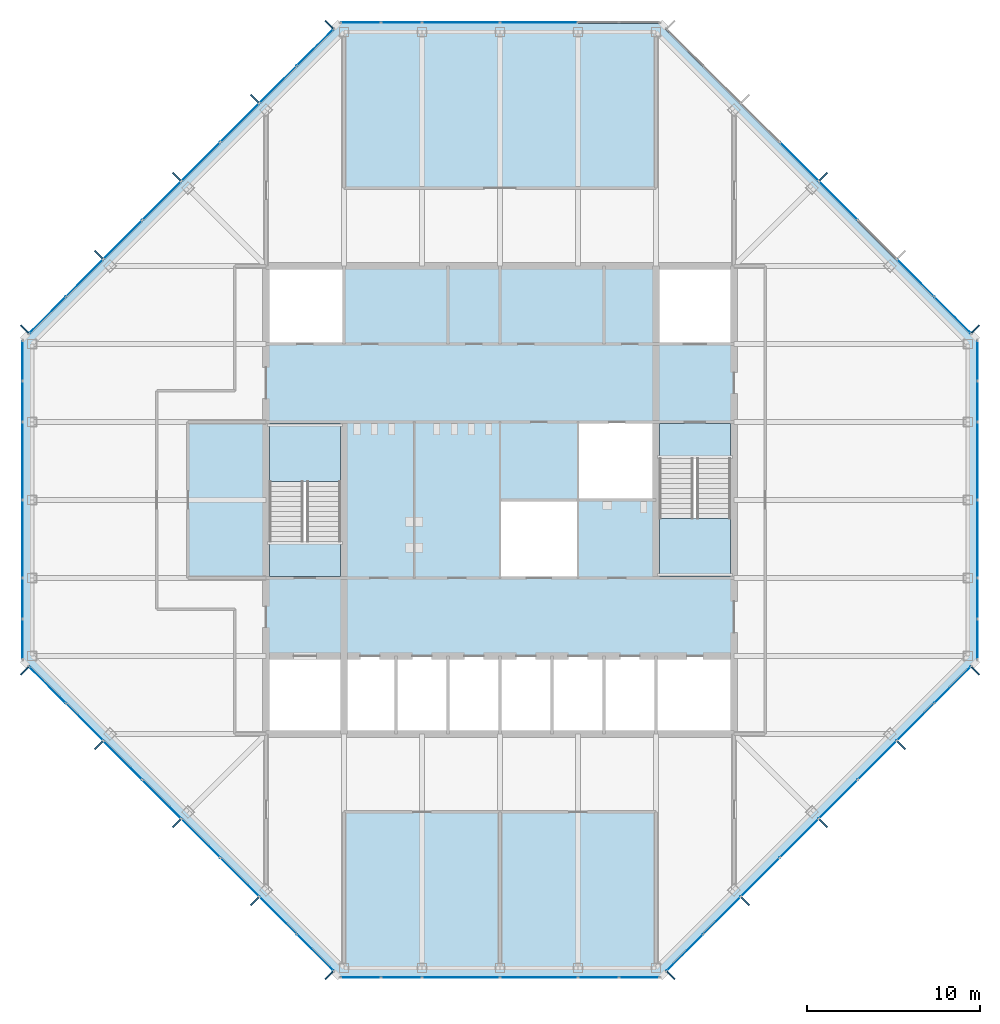
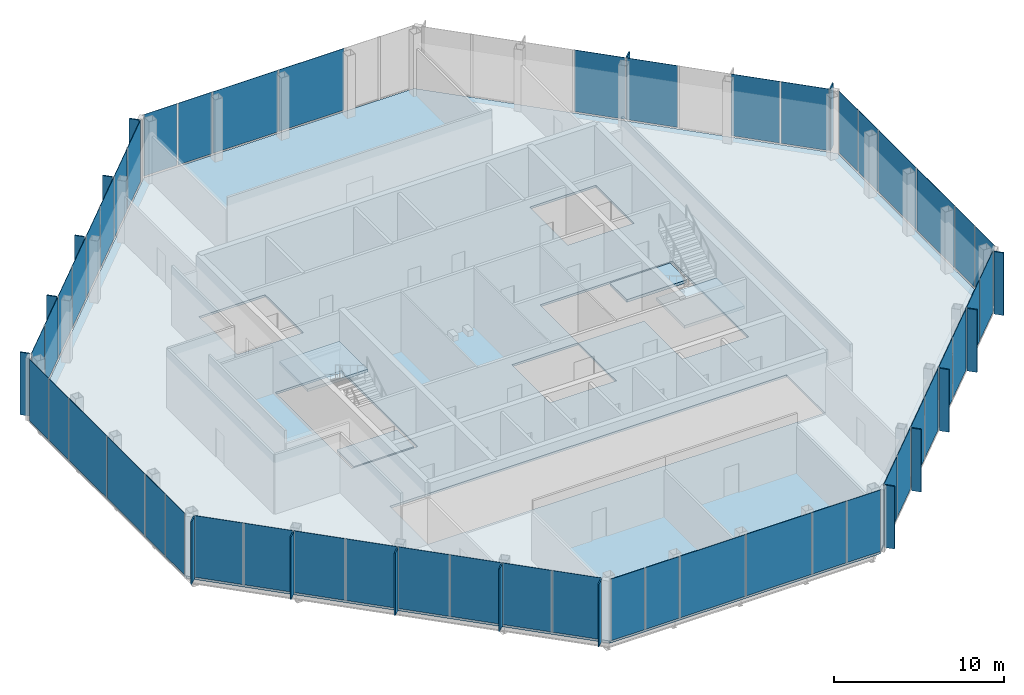
# One storey, part 8 of 13: 67 plates, 5 slabs, 10 elements without a shape of their own.
"""IFC4 building model written with IfcOpenShell, lengths in metres."""

from ifc_helpers import new_model, si_unit, direction, frame, origin, origin_2d, place, context, subcontext, project, spatial, polyline, rectangle, outline, extrude, material, layer, layer_set, type_object, element, aggregate, save


model = new_model("IFC4")

# Units and contexts
model_context = context("Model", 3, precision=1e-05, world=origin(), true_north=direction((0.0, 1.0)))
body_context = subcontext(model_context, "Body", "Model", "MODEL_VIEW")
ifc_project = project(units=[si_unit("LENGTHUNIT", "METRE"), si_unit("AREAUNIT", "SQUARE_METRE"), si_unit("VOLUMEUNIT", "CUBIC_METRE"), si_unit("PLANEANGLEUNIT", "RADIAN"), si_unit("MASSUNIT", "GRAM", prefix="KILO")], contexts=[model_context])

# Site, building, storey
site_placement = place(None, origin())
site = spatial("IfcSite", under=ifc_project, at=site_placement, CompositionType="ELEMENT")
building_placement = place(site_placement, origin())
building = spatial("IfcBuilding", under=site, at=building_placement, Name="Corais Broadcast Tower", CompositionType="ELEMENT")
storey_placement = place(building_placement, frame((0.0, 0.0, 310.60009765625)))
storey = spatial("IfcBuildingStorey", under=building, at=storey_placement, Name="L73", CompositionType="ELEMENT", Elevation=310.60009765625)

# Slab
ifc_material_1 = material(Name="Concrete C30/37", Category="concrete")
ifc_layer_1 = layer(ifc_material_1, 0.159912109375)
ifc_layer_set_1 = layer_set([ifc_layer_1], Name="Concrete C30/37")
slab_type_1 = type_object("IfcSlabType", Name="Composite floor slab 160", PredefinedType="FLOOR", material=ifc_layer_set_1)
slab_1_placement = place(storey_placement, frame((0.0, 0.0, -0.16015625)))
element("IfcSlab", 1, at=slab_1_placement, inside=storey, type_object=slab_type_1, Name="S160 floor slab L73", PredefinedType="FLOOR", context=body_context, shape_type="SweptSolid", body=[
    extrude(outline(polyline([(17.80126953125, -0.47998046875), (-0.47998046875, 17.80126953125), (-0.47998046875, 36.19873046875), (17.80126953125, 54.47998046875), (36.19873046875, 54.47998046875), (54.47998046875, 36.19873046875), (54.47998046875, 17.80126953125), (36.19873046875, -0.47998046875), (17.80126953125, -0.47998046875)]), holes=[polyline([(13.5, 18.0), (40.5, 18.0), (40.5, 13.5), (13.5, 13.5), (13.5, 18.0)]), polyline([(18.0, 22.5), (13.5, 22.5), (13.5, 31.5), (18.0, 31.5), (18.0, 22.5)]), polyline([(18.0, 36.0), (13.5, 36.0), (13.5, 40.5), (18.0, 40.5), (18.0, 36.0)]), polyline([(31.5, 22.5), (27.0, 22.5), (27.0, 27.0), (31.4951171875, 27.0), (31.4951171875, 27.0048828125), (31.5, 27.0048828125), (31.5, 31.5), (40.5, 31.5), (40.5, 22.5), (36.0, 22.5), (36.0, 27.0), (31.5048828125, 27.0), (31.5048828125, 26.9951171875), (31.5, 26.9951171875), (31.5, 22.5)]), polyline([(40.5, 36.0), (36.0, 36.0), (36.0, 40.5), (40.5, 40.5), (40.5, 36.0)])]), origin(), (0.0, 0.0, 1.0), 0.16015625),
])

# Curtain wall, plates
ifc_material_2 = material(Name="Aluminium and glass", Category="aluminium")
curtain_wall_type = type_object("IfcCurtainWallType", Name="Unitised fritted curtain wall CW3", PredefinedType="NOTDEFINED", material=ifc_material_2)
curtain_wall_1_placement = place(storey_placement, origin())
curtain_wall_1 = element("IfcCurtainWall", 2, at=curtain_wall_1_placement, inside=storey, type_object=curtain_wall_type, Name="CW3 curtain wall L73 1", PredefinedType="NOTDEFINED")
ifc_material_3 = material(Name="Ceramic-fritted laminated glass", Category="glass")
ifc_layer_2 = layer(ifc_material_3, 0.02587890625)
ifc_layer_set_2 = layer_set([ifc_layer_2], Name="Ceramic-fritted laminated glass")
plate_type_1 = type_object("IfcPlateType", Name="Fritted glass panel CW3", PredefinedType="CURTAIN_PANEL", material=ifc_layer_set_2)
plate_1_placement = place(storey_placement, frame((16.330322265625, 0.891845703125, 0.06494140625), z_axis=(0.0, 0.0, 1.0), x_axis=(-0.707106781187, 0.707106781187, 0.0)))
plate_1 = element("IfcPlate", 3, at=plate_1_placement, type_object=plate_type_1, Name="CW3 panel 1", PredefinedType="CURTAIN_PANEL", context=body_context, shape_type="SweptSolid", body=[
    extrude(rectangle(XDim=2.9482421875, YDim=0.02587890625, at=origin_2d()), origin(), (0.0, 0.0, 1.0), 4.43505859375),
])
plate_2_placement = place(storey_placement, frame((11.986083984375, 5.236083984375, 0.06494140625), z_axis=(0.0, 0.0, 1.0), x_axis=(-0.707106781187, 0.707106781187, 0.0)))
plate_2 = element("IfcPlate", 4, at=plate_2_placement, type_object=plate_type_1, Name="CW3 panel 3", PredefinedType="CURTAIN_PANEL", context=body_context, shape_type="SweptSolid", body=[
    extrude(rectangle(XDim=3.116943359375, YDim=0.02587890625, at=origin_2d()), origin(), (0.0, 0.0, 1.0), 4.43505859375),
])
plate_3_placement = place(storey_placement, frame((7.486083984375, 9.736083984375, 0.06494140625), z_axis=(0.0, 0.0, 1.0), x_axis=(-0.707106781187, 0.707106781187, 0.0)))
plate_3 = element("IfcPlate", 5, at=plate_3_placement, type_object=plate_type_1, Name="CW3 panel 5", PredefinedType="CURTAIN_PANEL", context=body_context, shape_type="SweptSolid", body=[
    extrude(rectangle(XDim=3.116943359375, YDim=0.02587890625, at=origin_2d()), origin(), (0.0, 0.0, 1.0), 4.43505859375),
])
plate_4_placement = place(storey_placement, frame((3.0341796875, 14.18798828125, 0.06494140625), z_axis=(0.0, 0.0, 1.0), x_axis=(-0.707106781187, 0.707106781187, 0.0)))
plate_4 = element("IfcPlate", 6, at=plate_4_placement, type_object=plate_type_1, Name="CW3 panel 7", PredefinedType="CURTAIN_PANEL", context=body_context, shape_type="SweptSolid", body=[
    extrude(rectangle(XDim=2.98095703125, YDim=0.02587890625, at=origin_2d()), origin(), (0.0, 0.0, 1.0), 4.43505859375),
])

curtain_wall_2_placement = place(storey_placement, origin())
curtain_wall_2 = element("IfcCurtainWall", 7, at=curtain_wall_2_placement, inside=storey, type_object=curtain_wall_type, Name="CW3 curtain wall L73 2", PredefinedType="NOTDEFINED")
plate_5_placement = place(storey_placement, frame((-0.550048828125, 18.970458984375, 0.06494140625), z_axis=(0.0, 0.0, 1.0), x_axis=(0.0, 1.0, 0.0)))
plate_5 = element("IfcPlate", 8, at=plate_5_placement, type_object=plate_type_1, Name="CW3 panel 1", PredefinedType="CURTAIN_PANEL", context=body_context, shape_type="SweptSolid", body=[
    extrude(rectangle(XDim=2.266357421875, YDim=0.02587890625, at=origin_2d()), origin(), (0.0, 0.0, 1.0), 4.43505859375),
])
plate_6_placement = place(storey_placement, frame((-0.550048828125, 24.75, 0.06494140625), z_axis=(0.0, 0.0, 1.0), x_axis=(0.0, 1.0, 0.0)))
plate_6 = element("IfcPlate", 9, at=plate_6_placement, type_object=plate_type_1, Name="CW3 panel 3", PredefinedType="CURTAIN_PANEL", context=body_context, shape_type="SweptSolid", body=[
    extrude(rectangle(XDim=4.43505859375, YDim=0.02587890625, at=origin_2d()), origin(), (0.0, 0.0, 1.0), 4.43505859375),
])
plate_7_placement = place(storey_placement, frame((-0.550048828125, 32.681884765625, 0.06494140625), z_axis=(0.0, 0.0, 1.0), x_axis=(0.0, 1.0, 0.0)))
plate_7 = element("IfcPlate", 10, at=plate_7_placement, type_object=plate_type_1, Name="CW3 panel 5", PredefinedType="CURTAIN_PANEL", context=body_context, shape_type="SweptSolid", body=[
    extrude(rectangle(XDim=2.298828125, YDim=0.02587890625, at=origin_2d()), origin(), (0.0, 0.0, 1.0), 4.43505859375),
])

curtain_wall_3_placement = place(storey_placement, origin())
curtain_wall_3 = element("IfcCurtainWall", 11, at=curtain_wall_3_placement, inside=storey, type_object=curtain_wall_type, Name="CW3 curtain wall L73 3", PredefinedType="NOTDEFINED")
plate_8_placement = place(storey_placement, frame((0.891845703125, 37.669677734375, 0.06494140625), z_axis=(0.0, 0.0, 1.0), x_axis=(0.707106781187, 0.707106781187, 0.0)))
plate_8 = element("IfcPlate", 12, at=plate_8_placement, type_object=plate_type_1, Name="CW3 panel 1", PredefinedType="CURTAIN_PANEL", context=body_context, shape_type="SweptSolid", body=[
    extrude(rectangle(XDim=2.9482421875, YDim=0.02587890625, at=origin_2d()), origin(), (0.0, 0.0, 1.0), 4.43505859375),
])
plate_9_placement = place(storey_placement, frame((5.236083984375, 42.013916015625, 0.06494140625), z_axis=(0.0, 0.0, 1.0), x_axis=(0.707106781187, 0.707106781187, 0.0)))
plate_9 = element("IfcPlate", 13, at=plate_9_placement, type_object=plate_type_1, Name="CW3 panel 3", PredefinedType="CURTAIN_PANEL", context=body_context, shape_type="SweptSolid", body=[
    extrude(rectangle(XDim=3.116943359375, YDim=0.02587890625, at=origin_2d()), origin(), (0.0, 0.0, 1.0), 4.43505859375),
])
plate_10_placement = place(storey_placement, frame((9.736083984375, 46.513916015625, 0.06494140625), z_axis=(0.0, 0.0, 1.0), x_axis=(0.707106781187, 0.707106781187, 0.0)))
plate_10 = element("IfcPlate", 14, at=plate_10_placement, type_object=plate_type_1, Name="CW3 panel 5", PredefinedType="CURTAIN_PANEL", context=body_context, shape_type="SweptSolid", body=[
    extrude(rectangle(XDim=3.116943359375, YDim=0.02587890625, at=origin_2d()), origin(), (0.0, 0.0, 1.0), 4.43505859375),
])
plate_11_placement = place(storey_placement, frame((14.18798828125, 50.9658203125, 0.06494140625), z_axis=(0.0, 0.0, 1.0), x_axis=(0.707106781187, 0.707106781187, 0.0)))
plate_11 = element("IfcPlate", 15, at=plate_11_placement, type_object=plate_type_1, Name="CW3 panel 7", PredefinedType="CURTAIN_PANEL", context=body_context, shape_type="SweptSolid", body=[
    extrude(rectangle(XDim=2.98095703125, YDim=0.02587890625, at=origin_2d()), origin(), (0.0, 0.0, 1.0), 4.43505859375),
])

curtain_wall_4_placement = place(storey_placement, origin())
curtain_wall_4 = element("IfcCurtainWall", 16, at=curtain_wall_4_placement, inside=storey, type_object=curtain_wall_type, Name="CW3 curtain wall L73 4", PredefinedType="NOTDEFINED")
plate_12_placement = place(storey_placement, frame((18.970458984375, 54.550048828125, 0.06494140625), z_axis=(0.0, 0.0, 1.0), x_axis=(1.0, 0.0, 0.0)))
plate_12 = element("IfcPlate", 17, at=plate_12_placement, type_object=plate_type_1, Name="CW3 panel 1", PredefinedType="CURTAIN_PANEL", context=body_context, shape_type="SweptSolid", body=[
    extrude(rectangle(XDim=2.266357421875, YDim=0.02587890625, at=origin_2d()), origin(), (0.0, 0.0, 1.0), 4.43505859375),
])
plate_13_placement = place(storey_placement, frame((24.75, 54.550048828125, 0.06494140625), z_axis=(0.0, 0.0, 1.0), x_axis=(1.0, 0.0, 0.0)))
plate_13 = element("IfcPlate", 18, at=plate_13_placement, type_object=plate_type_1, Name="CW3 panel 3", PredefinedType="CURTAIN_PANEL", context=body_context, shape_type="SweptSolid", body=[
    extrude(rectangle(XDim=4.43505859375, YDim=0.02587890625, at=origin_2d()), origin(), (0.0, 0.0, 1.0), 4.43505859375),
])

curtain_wall_5_placement = place(storey_placement, origin())
curtain_wall_5 = element("IfcCurtainWall", 19, at=curtain_wall_5_placement, inside=storey, type_object=curtain_wall_type, Name="CW3 curtain wall L73 5", PredefinedType="NOTDEFINED")
plate_14_placement = place(storey_placement, frame((46.513916015625, 44.263916015625, 0.06494140625), z_axis=(0.0, 0.0, 1.0), x_axis=(0.707106781187, -0.707106781187, 0.0)))
plate_14 = element("IfcPlate", 20, at=plate_14_placement, type_object=plate_type_1, Name="CW3 panel 5", PredefinedType="CURTAIN_PANEL", context=body_context, shape_type="SweptSolid", body=[
    extrude(rectangle(XDim=3.116943359375, YDim=0.02587890625, at=origin_2d()), origin(), (0.0, 0.0, 1.0), 4.43505859375),
])
plate_15_placement = place(storey_placement, frame((50.9658203125, 39.81201171875, 0.06494140625), z_axis=(0.0, 0.0, 1.0), x_axis=(0.707106781187, -0.707106781187, 0.0)))
plate_15 = element("IfcPlate", 21, at=plate_15_placement, type_object=plate_type_1, Name="CW3 panel 7", PredefinedType="CURTAIN_PANEL", context=body_context, shape_type="SweptSolid", body=[
    extrude(rectangle(XDim=2.98095703125, YDim=0.02587890625, at=origin_2d()), origin(), (0.0, 0.0, 1.0), 4.43505859375),
])

curtain_wall_6_placement = place(storey_placement, origin())
curtain_wall_6 = element("IfcCurtainWall", 22, at=curtain_wall_6_placement, inside=storey, type_object=curtain_wall_type, Name="CW3 curtain wall L73 6", PredefinedType="NOTDEFINED")
plate_16_placement = place(storey_placement, frame((54.550048828125, 35.029541015625, 0.06494140625), z_axis=(0.0, 0.0, 1.0), x_axis=(0.0, -1.0, 0.0)))
plate_16 = element("IfcPlate", 23, at=plate_16_placement, type_object=plate_type_1, Name="CW3 panel 1", PredefinedType="CURTAIN_PANEL", context=body_context, shape_type="SweptSolid", body=[
    extrude(rectangle(XDim=2.266357421875, YDim=0.02587890625, at=origin_2d()), origin(), (0.0, 0.0, 1.0), 4.43505859375),
])
plate_17_placement = place(storey_placement, frame((54.550048828125, 29.25, 0.06494140625), z_axis=(0.0, 0.0, 1.0), x_axis=(0.0, -1.0, 0.0)))
plate_17 = element("IfcPlate", 24, at=plate_17_placement, type_object=plate_type_1, Name="CW3 panel 3", PredefinedType="CURTAIN_PANEL", context=body_context, shape_type="SweptSolid", body=[
    extrude(rectangle(XDim=4.43505859375, YDim=0.02587890625, at=origin_2d()), origin(), (0.0, 0.0, 1.0), 4.43505859375),
])
plate_18_placement = place(storey_placement, frame((54.550048828125, 21.318115234375, 0.06494140625), z_axis=(0.0, 0.0, 1.0), x_axis=(0.0, -1.0, 0.0)))
plate_18 = element("IfcPlate", 25, at=plate_18_placement, type_object=plate_type_1, Name="CW3 panel 5", PredefinedType="CURTAIN_PANEL", context=body_context, shape_type="SweptSolid", body=[
    extrude(rectangle(XDim=2.298828125, YDim=0.02587890625, at=origin_2d()), origin(), (0.0, 0.0, 1.0), 4.43505859375),
])

curtain_wall_7_placement = place(storey_placement, origin())
curtain_wall_7 = element("IfcCurtainWall", 26, at=curtain_wall_7_placement, inside=storey, type_object=curtain_wall_type, Name="CW3 curtain wall L73 7", PredefinedType="NOTDEFINED")
plate_19_placement = place(storey_placement, frame((53.108154296875, 16.330322265625, 0.06494140625), z_axis=(0.0, 0.0, 1.0), x_axis=(-0.707106781187, -0.707106781187, 0.0)))
plate_19 = element("IfcPlate", 27, at=plate_19_placement, type_object=plate_type_1, Name="CW3 panel 1", PredefinedType="CURTAIN_PANEL", context=body_context, shape_type="SweptSolid", body=[
    extrude(rectangle(XDim=2.9482421875, YDim=0.02587890625, at=origin_2d()), origin(), (0.0, 0.0, 1.0), 4.43505859375),
])
plate_20_placement = place(storey_placement, frame((48.763916015625, 11.986083984375, 0.06494140625), z_axis=(0.0, 0.0, 1.0), x_axis=(-0.707106781187, -0.707106781187, 0.0)))
plate_20 = element("IfcPlate", 28, at=plate_20_placement, type_object=plate_type_1, Name="CW3 panel 3", PredefinedType="CURTAIN_PANEL", context=body_context, shape_type="SweptSolid", body=[
    extrude(rectangle(XDim=3.116943359375, YDim=0.02587890625, at=origin_2d()), origin(), (0.0, 0.0, 1.0), 4.43505859375),
])
plate_21_placement = place(storey_placement, frame((44.263916015625, 7.486083984375, 0.06494140625), z_axis=(0.0, 0.0, 1.0), x_axis=(-0.707106781187, -0.707106781187, 0.0)))
plate_21 = element("IfcPlate", 29, at=plate_21_placement, type_object=plate_type_1, Name="CW3 panel 5", PredefinedType="CURTAIN_PANEL", context=body_context, shape_type="SweptSolid", body=[
    extrude(rectangle(XDim=3.116943359375, YDim=0.02587890625, at=origin_2d()), origin(), (0.0, 0.0, 1.0), 4.43505859375),
])
plate_22_placement = place(storey_placement, frame((39.81201171875, 3.0341796875, 0.06494140625), z_axis=(0.0, 0.0, 1.0), x_axis=(-0.707106781187, -0.707106781187, 0.0)))
plate_22 = element("IfcPlate", 30, at=plate_22_placement, type_object=plate_type_1, Name="CW3 panel 7", PredefinedType="CURTAIN_PANEL", context=body_context, shape_type="SweptSolid", body=[
    extrude(rectangle(XDim=2.98095703125, YDim=0.02587890625, at=origin_2d()), origin(), (0.0, 0.0, 1.0), 4.43505859375),
])

curtain_wall_8_placement = place(storey_placement, origin())
curtain_wall_8 = element("IfcCurtainWall", 31, at=curtain_wall_8_placement, inside=storey, type_object=curtain_wall_type, Name="CW3 curtain wall L73 8", PredefinedType="NOTDEFINED")
plate_23_placement = place(storey_placement, frame((35.029541015625, -0.550048828125, 0.06494140625), z_axis=(0.0, 0.0, 1.0), x_axis=(-1.0, 0.0, 0.0)))
plate_23 = element("IfcPlate", 32, at=plate_23_placement, type_object=plate_type_1, Name="CW3 panel 1", PredefinedType="CURTAIN_PANEL", context=body_context, shape_type="SweptSolid", body=[
    extrude(rectangle(XDim=2.266357421875, YDim=0.02587890625, at=origin_2d()), origin(), (0.0, 0.0, 1.0), 4.43505859375),
])
plate_24_placement = place(storey_placement, frame((29.25, -0.550048828125, 0.06494140625), z_axis=(0.0, 0.0, 1.0), x_axis=(-1.0, 0.0, 0.0)))
plate_24 = element("IfcPlate", 33, at=plate_24_placement, type_object=plate_type_1, Name="CW3 panel 3", PredefinedType="CURTAIN_PANEL", context=body_context, shape_type="SweptSolid", body=[
    extrude(rectangle(XDim=4.43505859375, YDim=0.02587890625, at=origin_2d()), origin(), (0.0, 0.0, 1.0), 4.43505859375),
])
plate_25_placement = place(storey_placement, frame((21.318115234375, -0.550048828125, 0.06494140625), z_axis=(0.0, 0.0, 1.0), x_axis=(-1.0, 0.0, 0.0)))
plate_25 = element("IfcPlate", 34, at=plate_25_placement, type_object=plate_type_1, Name="CW3 panel 5", PredefinedType="CURTAIN_PANEL", context=body_context, shape_type="SweptSolid", body=[
    extrude(rectangle(XDim=2.298828125, YDim=0.02587890625, at=origin_2d()), origin(), (0.0, 0.0, 1.0), 4.43505859375),
])

# Plate
ifc_material_4 = material(Name="Clear laminated glass", Category="glass")
ifc_layer_3 = layer(ifc_material_4, 0.030029296875)
ifc_layer_set_3 = layer_set([ifc_layer_3], Name="Clear laminated glass")
plate_type_2 = type_object("IfcPlateType", Name="Operable glass panel CW3", PredefinedType="CURTAIN_PANEL", material=ifc_layer_set_3)
plate_26_placement = place(storey_placement, frame((14.18798828125, 3.0341796875, 0.06494140625), z_axis=(0.0, 0.0, 1.0), x_axis=(-0.707106781187, 0.707106781187, 0.0)))
plate_26 = element("IfcPlate", 35, at=plate_26_placement, type_object=plate_type_2, Name="CW3 operable panel 2", PredefinedType="CURTAIN_PANEL", context=body_context, shape_type="SweptSolid", body=[
    extrude(rectangle(XDim=2.98095703125, YDim=0.030029296875, at=origin_2d()), origin(), (0.0, 0.0, 1.0), 4.43505859375),
])

plate_27_placement = place(storey_placement, frame((9.736083984375, 7.486083984375, 0.06494140625), z_axis=(0.0, 0.0, 1.0), x_axis=(-0.707106781187, 0.707106781187, 0.0)))
plate_27 = element("IfcPlate", 36, at=plate_27_placement, type_object=plate_type_2, Name="CW3 operable panel 4", PredefinedType="CURTAIN_PANEL", context=body_context, shape_type="SweptSolid", body=[
    extrude(rectangle(XDim=3.116943359375, YDim=0.030029296875, at=origin_2d()), origin(), (0.0, 0.0, 1.0), 4.43505859375),
])

plate_28_placement = place(storey_placement, frame((5.236083984375, 11.986083984375, 0.06494140625), z_axis=(0.0, 0.0, 1.0), x_axis=(-0.707106781187, 0.707106781187, 0.0)))
plate_28 = element("IfcPlate", 37, at=plate_28_placement, type_object=plate_type_2, Name="CW3 operable panel 6", PredefinedType="CURTAIN_PANEL", context=body_context, shape_type="SweptSolid", body=[
    extrude(rectangle(XDim=3.116943359375, YDim=0.030029296875, at=origin_2d()), origin(), (0.0, 0.0, 1.0), 4.43505859375),
])

plate_29_placement = place(storey_placement, frame((0.89208984375, 16.330322265625, 0.06494140625), z_axis=(0.0, 0.0, 1.0), x_axis=(-0.707106781187, 0.707106781187, 0.0)))
plate_29 = element("IfcPlate", 38, at=plate_29_placement, type_object=plate_type_2, Name="CW3 operable panel 8", PredefinedType="CURTAIN_PANEL", context=body_context, shape_type="SweptSolid", body=[
    extrude(rectangle(XDim=2.948486328125, YDim=0.030029296875, at=origin_2d()), origin(), (0.0, 0.0, 1.0), 4.43505859375),
])

aggregate(curtain_wall_1, [plate_1, plate_26, plate_2, plate_27, plate_3, plate_28, plate_4, plate_29])

plate_30_placement = place(storey_placement, frame((-0.550048828125, 21.318115234375, 0.06494140625), z_axis=(0.0, 0.0, 1.0), x_axis=(0.0, 1.0, 0.0)))
plate_30 = element("IfcPlate", 39, at=plate_30_placement, type_object=plate_type_2, Name="CW3 operable panel 2", PredefinedType="CURTAIN_PANEL", context=body_context, shape_type="SweptSolid", body=[
    extrude(rectangle(XDim=2.298828125, YDim=0.030029296875, at=origin_2d()), origin(), (0.0, 0.0, 1.0), 4.43505859375),
])

plate_31_placement = place(storey_placement, frame((-0.550048828125, 29.25, 0.06494140625), z_axis=(0.0, 0.0, 1.0), x_axis=(0.0, 1.0, 0.0)))
plate_31 = element("IfcPlate", 40, at=plate_31_placement, type_object=plate_type_2, Name="CW3 operable panel 4", PredefinedType="CURTAIN_PANEL", context=body_context, shape_type="SweptSolid", body=[
    extrude(rectangle(XDim=4.43505859375, YDim=0.030029296875, at=origin_2d()), origin(), (0.0, 0.0, 1.0), 4.43505859375),
])

plate_32_placement = place(storey_placement, frame((-0.550048828125, 35.029541015625, 0.06494140625), z_axis=(0.0, 0.0, 1.0), x_axis=(0.0, 1.0, 0.0)))
plate_32 = element("IfcPlate", 41, at=plate_32_placement, type_object=plate_type_2, Name="CW3 operable panel 6", PredefinedType="CURTAIN_PANEL", context=body_context, shape_type="SweptSolid", body=[
    extrude(rectangle(XDim=2.266357421875, YDim=0.030029296875, at=origin_2d()), origin(), (0.0, 0.0, 1.0), 4.43505859375),
])

aggregate(curtain_wall_2, [plate_5, plate_30, plate_6, plate_31, plate_7, plate_32])

plate_33_placement = place(storey_placement, frame((3.0341796875, 39.81201171875, 0.06494140625), z_axis=(0.0, 0.0, 1.0), x_axis=(0.707106781187, 0.707106781187, 0.0)))
plate_33 = element("IfcPlate", 42, at=plate_33_placement, type_object=plate_type_2, Name="CW3 operable panel 2", PredefinedType="CURTAIN_PANEL", context=body_context, shape_type="SweptSolid", body=[
    extrude(rectangle(XDim=2.98095703125, YDim=0.030029296875, at=origin_2d()), origin(), (0.0, 0.0, 1.0), 4.43505859375),
])

plate_34_placement = place(storey_placement, frame((7.486083984375, 44.263916015625, 0.06494140625), z_axis=(0.0, 0.0, 1.0), x_axis=(0.707106781187, 0.707106781187, 0.0)))
plate_34 = element("IfcPlate", 43, at=plate_34_placement, type_object=plate_type_2, Name="CW3 operable panel 4", PredefinedType="CURTAIN_PANEL", context=body_context, shape_type="SweptSolid", body=[
    extrude(rectangle(XDim=3.116943359375, YDim=0.030029296875, at=origin_2d()), origin(), (0.0, 0.0, 1.0), 4.43505859375),
])

plate_35_placement = place(storey_placement, frame((11.986083984375, 48.763916015625, 0.06494140625), z_axis=(0.0, 0.0, 1.0), x_axis=(0.707106781187, 0.707106781187, 0.0)))
plate_35 = element("IfcPlate", 44, at=plate_35_placement, type_object=plate_type_2, Name="CW3 operable panel 6", PredefinedType="CURTAIN_PANEL", context=body_context, shape_type="SweptSolid", body=[
    extrude(rectangle(XDim=3.116943359375, YDim=0.030029296875, at=origin_2d()), origin(), (0.0, 0.0, 1.0), 4.43505859375),
])

plate_36_placement = place(storey_placement, frame((16.330322265625, 53.10791015625, 0.06494140625), z_axis=(0.0, 0.0, 1.0), x_axis=(0.707106781187, 0.707106781187, 0.0)))
plate_36 = element("IfcPlate", 45, at=plate_36_placement, type_object=plate_type_2, Name="CW3 operable panel 8", PredefinedType="CURTAIN_PANEL", context=body_context, shape_type="SweptSolid", body=[
    extrude(rectangle(XDim=2.948486328125, YDim=0.030029296875, at=origin_2d()), origin(), (0.0, 0.0, 1.0), 4.43505859375),
])

aggregate(curtain_wall_3, [plate_8, plate_33, plate_9, plate_34, plate_10, plate_35, plate_11, plate_36])

plate_37_placement = place(storey_placement, frame((21.318115234375, 54.550048828125, 0.06494140625), z_axis=(0.0, 0.0, 1.0), x_axis=(1.0, 0.0, 0.0)))
plate_37 = element("IfcPlate", 46, at=plate_37_placement, type_object=plate_type_2, Name="CW3 operable panel 2", PredefinedType="CURTAIN_PANEL", context=body_context, shape_type="SweptSolid", body=[
    extrude(rectangle(XDim=2.298828125, YDim=0.030029296875, at=origin_2d()), origin(), (0.0, 0.0, 1.0), 4.43505859375),
])

plate_38_placement = place(storey_placement, frame((29.25, 54.550048828125, 0.06494140625), z_axis=(0.0, 0.0, 1.0), x_axis=(1.0, 0.0, 0.0)))
plate_38 = element("IfcPlate", 47, at=plate_38_placement, type_object=plate_type_2, Name="CW3 operable panel 4", PredefinedType="CURTAIN_PANEL", context=body_context, shape_type="SweptSolid", body=[
    extrude(rectangle(XDim=4.43505859375, YDim=0.030029296875, at=origin_2d()), origin(), (0.0, 0.0, 1.0), 4.43505859375),
])

aggregate(curtain_wall_4, [plate_12, plate_37, plate_13, plate_38])

plate_39_placement = place(storey_placement, frame((44.263916015625, 46.513916015625, 0.06494140625), z_axis=(0.0, 0.0, 1.0), x_axis=(0.707106781187, -0.707106781187, 0.0)))
plate_39 = element("IfcPlate", 48, at=plate_39_placement, type_object=plate_type_2, Name="CW3 operable panel 4", PredefinedType="CURTAIN_PANEL", context=body_context, shape_type="SweptSolid", body=[
    extrude(rectangle(XDim=3.116943359375, YDim=0.030029296875, at=origin_2d()), origin(), (0.0, 0.0, 1.0), 4.43505859375),
])

plate_40_placement = place(storey_placement, frame((53.10791015625, 37.669677734375, 0.06494140625), z_axis=(0.0, 0.0, 1.0), x_axis=(0.707106781187, -0.707106781187, 0.0)))
plate_40 = element("IfcPlate", 49, at=plate_40_placement, type_object=plate_type_2, Name="CW3 operable panel 8", PredefinedType="CURTAIN_PANEL", context=body_context, shape_type="SweptSolid", body=[
    extrude(rectangle(XDim=2.948486328125, YDim=0.030029296875, at=origin_2d()), origin(), (0.0, 0.0, 1.0), 4.43505859375),
])

aggregate(curtain_wall_5, [plate_39, plate_14, plate_15, plate_40])

plate_41_placement = place(storey_placement, frame((54.550048828125, 32.681884765625, 0.06494140625), z_axis=(0.0, 0.0, 1.0), x_axis=(0.0, -1.0, 0.0)))
plate_41 = element("IfcPlate", 50, at=plate_41_placement, type_object=plate_type_2, Name="CW3 operable panel 2", PredefinedType="CURTAIN_PANEL", context=body_context, shape_type="SweptSolid", body=[
    extrude(rectangle(XDim=2.298828125, YDim=0.030029296875, at=origin_2d()), origin(), (0.0, 0.0, 1.0), 4.43505859375),
])

plate_42_placement = place(storey_placement, frame((54.550048828125, 24.75, 0.06494140625), z_axis=(0.0, 0.0, 1.0), x_axis=(0.0, -1.0, 0.0)))
plate_42 = element("IfcPlate", 51, at=plate_42_placement, type_object=plate_type_2, Name="CW3 operable panel 4", PredefinedType="CURTAIN_PANEL", context=body_context, shape_type="SweptSolid", body=[
    extrude(rectangle(XDim=4.43505859375, YDim=0.030029296875, at=origin_2d()), origin(), (0.0, 0.0, 1.0), 4.43505859375),
])

plate_43_placement = place(storey_placement, frame((54.550048828125, 18.970458984375, 0.06494140625), z_axis=(0.0, 0.0, 1.0), x_axis=(0.0, -1.0, 0.0)))
plate_43 = element("IfcPlate", 52, at=plate_43_placement, type_object=plate_type_2, Name="CW3 operable panel 6", PredefinedType="CURTAIN_PANEL", context=body_context, shape_type="SweptSolid", body=[
    extrude(rectangle(XDim=2.266357421875, YDim=0.030029296875, at=origin_2d()), origin(), (0.0, 0.0, 1.0), 4.43505859375),
])

aggregate(curtain_wall_6, [plate_16, plate_41, plate_17, plate_42, plate_18, plate_43])

plate_44_placement = place(storey_placement, frame((50.9658203125, 14.18798828125, 0.06494140625), z_axis=(0.0, 0.0, 1.0), x_axis=(-0.707106781187, -0.707106781187, 0.0)))
plate_44 = element("IfcPlate", 53, at=plate_44_placement, type_object=plate_type_2, Name="CW3 operable panel 2", PredefinedType="CURTAIN_PANEL", context=body_context, shape_type="SweptSolid", body=[
    extrude(rectangle(XDim=2.98095703125, YDim=0.030029296875, at=origin_2d()), origin(), (0.0, 0.0, 1.0), 4.43505859375),
])

plate_45_placement = place(storey_placement, frame((46.513916015625, 9.736083984375, 0.06494140625), z_axis=(0.0, 0.0, 1.0), x_axis=(-0.707106781187, -0.707106781187, 0.0)))
plate_45 = element("IfcPlate", 54, at=plate_45_placement, type_object=plate_type_2, Name="CW3 operable panel 4", PredefinedType="CURTAIN_PANEL", context=body_context, shape_type="SweptSolid", body=[
    extrude(rectangle(XDim=3.116943359375, YDim=0.030029296875, at=origin_2d()), origin(), (0.0, 0.0, 1.0), 4.43505859375),
])

plate_46_placement = place(storey_placement, frame((42.013916015625, 5.236083984375, 0.06494140625), z_axis=(0.0, 0.0, 1.0), x_axis=(-0.707106781187, -0.707106781187, 0.0)))
plate_46 = element("IfcPlate", 55, at=plate_46_placement, type_object=plate_type_2, Name="CW3 operable panel 6", PredefinedType="CURTAIN_PANEL", context=body_context, shape_type="SweptSolid", body=[
    extrude(rectangle(XDim=3.116943359375, YDim=0.030029296875, at=origin_2d()), origin(), (0.0, 0.0, 1.0), 4.43505859375),
])

plate_47_placement = place(storey_placement, frame((37.669677734375, 0.89208984375, 0.06494140625), z_axis=(0.0, 0.0, 1.0), x_axis=(-0.707106781187, -0.707106781187, 0.0)))
plate_47 = element("IfcPlate", 56, at=plate_47_placement, type_object=plate_type_2, Name="CW3 operable panel 8", PredefinedType="CURTAIN_PANEL", context=body_context, shape_type="SweptSolid", body=[
    extrude(rectangle(XDim=2.948486328125, YDim=0.030029296875, at=origin_2d()), origin(), (0.0, 0.0, 1.0), 4.43505859375),
])

aggregate(curtain_wall_7, [plate_19, plate_44, plate_20, plate_45, plate_21, plate_46, plate_22, plate_47])

plate_48_placement = place(storey_placement, frame((32.681884765625, -0.550048828125, 0.06494140625), z_axis=(0.0, 0.0, 1.0), x_axis=(-1.0, 0.0, 0.0)))
plate_48 = element("IfcPlate", 57, at=plate_48_placement, type_object=plate_type_2, Name="CW3 operable panel 2", PredefinedType="CURTAIN_PANEL", context=body_context, shape_type="SweptSolid", body=[
    extrude(rectangle(XDim=2.298828125, YDim=0.030029296875, at=origin_2d()), origin(), (0.0, 0.0, 1.0), 4.43505859375),
])

plate_49_placement = place(storey_placement, frame((24.75, -0.550048828125, 0.06494140625), z_axis=(0.0, 0.0, 1.0), x_axis=(-1.0, 0.0, 0.0)))
plate_49 = element("IfcPlate", 58, at=plate_49_placement, type_object=plate_type_2, Name="CW3 operable panel 4", PredefinedType="CURTAIN_PANEL", context=body_context, shape_type="SweptSolid", body=[
    extrude(rectangle(XDim=4.43505859375, YDim=0.030029296875, at=origin_2d()), origin(), (0.0, 0.0, 1.0), 4.43505859375),
])

plate_50_placement = place(storey_placement, frame((18.970458984375, -0.550048828125, 0.06494140625), z_axis=(0.0, 0.0, 1.0), x_axis=(-1.0, 0.0, 0.0)))
plate_50 = element("IfcPlate", 59, at=plate_50_placement, type_object=plate_type_2, Name="CW3 operable panel 6", PredefinedType="CURTAIN_PANEL", context=body_context, shape_type="SweptSolid", body=[
    extrude(rectangle(XDim=2.266357421875, YDim=0.030029296875, at=origin_2d()), origin(), (0.0, 0.0, 1.0), 4.43505859375),
])

aggregate(curtain_wall_8, [plate_23, plate_48, plate_24, plate_49, plate_25, plate_50])

# Stair, slabs
ifc_material_5 = material(Name="Concrete C30/37", Category="concrete")
stair_type = type_object("IfcStairType", Name="Half-turn stair 4500", PredefinedType="HALF_TURN_STAIR", material=ifc_material_5)
stair_1_placement = place(storey_placement, origin())
stair_1 = element("IfcStair", 60, at=stair_1_placement, inside=storey, type_object=stair_type, Name="Stair A L73", PredefinedType="HALF_TURN_STAIR")
ifc_material_6 = material(Name="Concrete C30/37", Category="concrete")
ifc_layer_4 = layer(ifc_material_6, 0.199951171875)
ifc_layer_set_4 = layer_set([ifc_layer_4], Name="Concrete C30/37")
slab_type_2 = type_object("IfcSlabType", Name="Stair landing 200", PredefinedType="LANDING", material=ifc_layer_set_4)
slab_2_placement = place(storey_placement, frame((0.0, 0.0, -0.2001953125)))
slab_2 = element("IfcSlab", 61, at=slab_2_placement, type_object=slab_type_2, Name="STA landing 1", PredefinedType="LANDING", context=body_context, shape_type="SweptSolid", body=[
    extrude(outline(polyline([(13.699951171875, 22.60009765625), (17.800048828125, 22.60009765625), (17.800048828125, 24.60009765625), (13.699951171875, 24.60009765625), (13.699951171875, 22.60009765625)])), origin(), (0.0, 0.0, 1.0), 0.2001953125),
])
slab_3_placement = place(storey_placement, frame((0.0, 0.0, 2.0498046875)))
slab_3 = element("IfcSlab", 62, at=slab_3_placement, type_object=slab_type_2, Name="STA landing 2", PredefinedType="LANDING", context=body_context, shape_type="SweptSolid", body=[
    extrude(outline(polyline([(13.699951171875, 28.068115234375), (17.800048828125, 28.068115234375), (17.800048828125, 31.39990234375), (13.699951171875, 31.39990234375), (13.699951171875, 28.068115234375)])), origin(), (0.0, 0.0, 1.0), 0.2001953125),
])
aggregate(stair_1, [slab_2, slab_3])

stair_2_placement = place(storey_placement, origin())
stair_2 = element("IfcStair", 63, at=stair_2_placement, inside=storey, type_object=stair_type, Name="Stair B L73", PredefinedType="HALF_TURN_STAIR")
slab_4_placement = place(storey_placement, frame((0.0, 0.0, -0.2001953125)))
slab_4 = element("IfcSlab", 64, at=slab_4_placement, type_object=slab_type_2, Name="STB landing 1", PredefinedType="LANDING", context=body_context, shape_type="SweptSolid", body=[
    extrude(outline(polyline([(36.199951171875, 29.39990234375), (40.300048828125, 29.39990234375), (40.300048828125, 31.39990234375), (36.199951171875, 31.39990234375), (36.199951171875, 29.39990234375)])), origin(), (0.0, 0.0, 1.0), 0.2001953125),
])
slab_5_placement = place(storey_placement, frame((0.0, 0.0, 2.0498046875)))
slab_5 = element("IfcSlab", 65, at=slab_5_placement, type_object=slab_type_2, Name="STB landing 2", PredefinedType="LANDING", context=body_context, shape_type="SweptSolid", body=[
    extrude(outline(polyline([(36.199951171875, 22.60009765625), (40.300048828125, 22.60009765625), (40.300048828125, 25.931884765625), (36.199951171875, 25.931884765625), (36.199951171875, 22.60009765625)])), origin(), (0.0, 0.0, 1.0), 0.2001953125),
])
aggregate(stair_2, [slab_4, slab_5])

# Plates
ifc_material_7 = material(Name="Granite stone cladding", Category="masonry")
ifc_layer_5 = layer(ifc_material_7, 0.080078125)
ifc_layer_set_5 = layer_set([ifc_layer_5], Name="Granite stone cladding")
plate_type_3 = type_object("IfcPlateType", Name="Stone screen fin 80x600", PredefinedType="USERDEFINED", material=ifc_layer_set_5)
for number, where, z_axis, x_axis, name in (
    (66, (17.129150390625, -0.43994140625, 0.0), (0.0, 0.0, 1.0), (-0.707106781187, 0.707106781187, 0.0), "SF1 stone screen fin L73"),
    (67, (12.844482421875, 3.844482421875, 0.0), (0.0, 0.0, 1.0), (-0.707106781187, 0.707106781187, 0.0), "SF1 stone screen fin L73"),
    (68, (8.344482421875, 8.344482421875, 0.0), (0.0, 0.0, 1.0), (-0.707106781187, 0.707106781187, 0.0), "SF1 stone screen fin L73"),
    (69, (3.844482421875, 12.844482421875, 0.0), (0.0, 0.0, 1.0), (-0.707106781187, 0.707106781187, 0.0), "SF1 stone screen fin L73"),
    (70, (-0.43994140625, 17.129150390625, 0.0), (0.0, 0.0, 1.0), (-0.707106781187, 0.707106781187, 0.0), "SF1 stone screen fin L73"),
    (71, (-0.43994140625, 36.870849609375, 0.0), (0.0, 0.0, 1.0), (0.707106781187, 0.707106781187, 0.0), "SF1 stone screen fin L73"),
    (72, (3.844482421875, 41.155517578125, 0.0), (0.0, 0.0, 1.0), (0.707106781187, 0.707106781187, 0.0), "SF1 stone screen fin L73"),
    (73, (8.344482421875, 45.655517578125, 0.0), (0.0, 0.0, 1.0), (0.707106781187, 0.707106781187, 0.0), "SF1 stone screen fin L73"),
    (74, (12.844482421875, 50.155517578125, 0.0), (0.0, 0.0, 1.0), (0.707106781187, 0.707106781187, 0.0), "SF1 stone screen fin L73"),
    (75, (17.129150390625, 54.43994140625, 0.0), (0.0, 0.0, 1.0), (0.707106781187, 0.707106781187, 0.0), "SF1 stone screen fin L73"),
    (76, (45.655517578125, 45.655517578125, 0.0), (0.0, 0.0, 1.0), (0.707106781187, -0.707106781187, 0.0), "SF1 stone screen fin L73"),
    (77, (54.43994140625, 36.870849609375, 0.0), (0.0, 0.0, 1.0), (0.707106781187, -0.707106781187, 0.0), "SF1 stone screen fin L73"),
    (78, (54.43994140625, 17.129150390625, 0.0), (0.0, 0.0, 1.0), (-0.707106781187, -0.707106781187, 0.0), "SF1 stone screen fin L73"),
    (79, (50.155517578125, 12.844482421875, 0.0), (0.0, 0.0, 1.0), (-0.707106781187, -0.707106781187, 0.0), "SF1 stone screen fin L73"),
    (80, (45.655517578125, 8.344482421875, 0.0), (0.0, 0.0, 1.0), (-0.707106781187, -0.707106781187, 0.0), "SF1 stone screen fin L73"),
    (81, (41.155517578125, 3.844482421875, 0.0), (0.0, 0.0, 1.0), (-0.707106781187, -0.707106781187, 0.0), "SF1 stone screen fin L73"),
    (82, (36.870849609375, -0.43994140625, 0.0), (0.0, 0.0, 1.0), (-0.707106781187, -0.707106781187, 0.0), "SF1 stone screen fin L73"),
):
    element("IfcPlate", number, at=place(storey_placement, frame(where, z_axis=z_axis, x_axis=x_axis)), inside=storey, type_object=plate_type_3, Name=name, ObjectType="STONE SCREEN FIN", PredefinedType="USERDEFINED", context=body_context, shape_type="SweptSolid", body=[
        extrude(rectangle(XDim=0.080078125, YDim=0.60009765625, at=origin_2d()), origin(), (0.0, 0.0, 1.0), 4.5),
    ])

save(model, "model.ifc")
